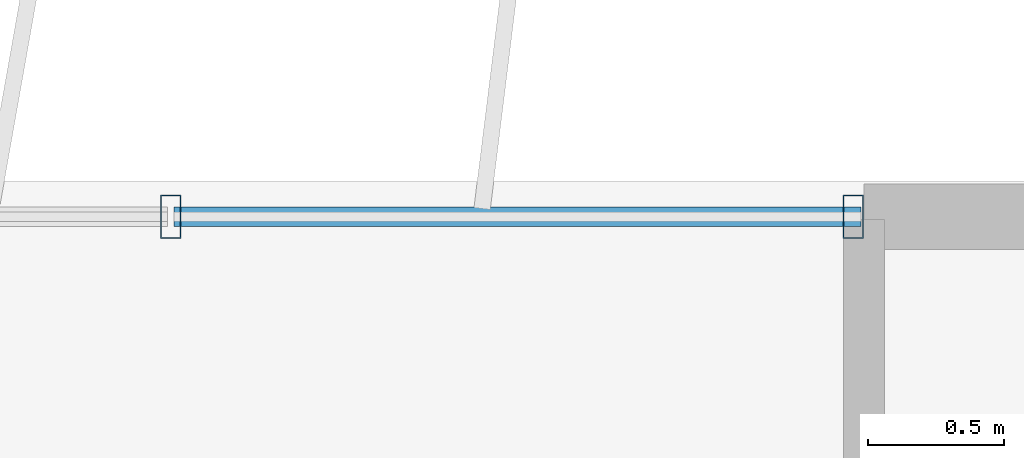
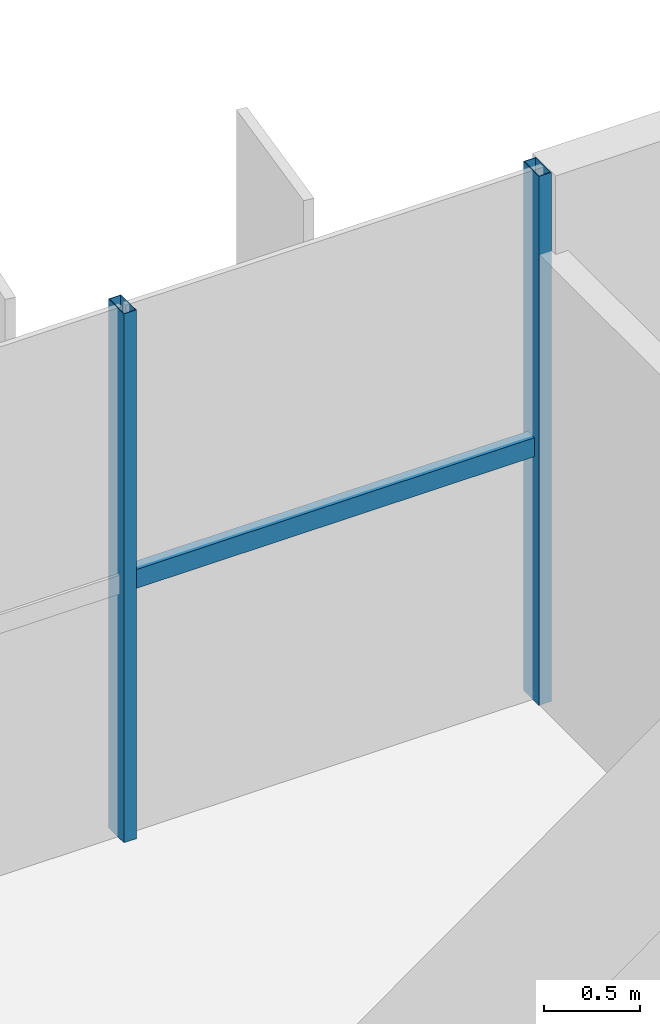
# One storey, part 14 of 22: 3 members, 1 element without a shape of its own.
"""IFC4 building model written with IfcOpenShell, lengths in metres."""

from ifc_helpers import new_model, si_unit, direction, frame, origin, origin_2d, place, context, subcontext, project, spatial, hollow_rectangle, extrude, source, transform, mapped, material, material_profile, profile_set, type_object, element, aggregate, save


model = new_model("IFC4")

# Units and contexts
model_context = context("Model", 3, precision=1e-05, world=origin(), true_north=direction((0.0, 1.0)))
body_context = subcontext(model_context, "Body", "Model", "MODEL_VIEW")
ifc_project = project(units=[si_unit("LENGTHUNIT", "METRE"), si_unit("AREAUNIT", "SQUARE_METRE"), si_unit("VOLUMEUNIT", "CUBIC_METRE"), si_unit("PLANEANGLEUNIT", "RADIAN"), si_unit("MASSUNIT", "GRAM", prefix="KILO")], contexts=[model_context])

# Site, building, storey
site_placement = place(None, origin())
site = spatial("IfcSite", under=ifc_project, at=site_placement, CompositionType="ELEMENT")
building_placement = place(site_placement, origin())
building = spatial("IfcBuilding", under=site, at=building_placement, Name="Trelvane Seafront Commons", CompositionType="ELEMENT")
storey_placement = place(building_placement, frame((0.0, 0.0, 284.699951171875)))
storey = spatial("IfcBuildingStorey", under=building, at=storey_placement, Name="L74", CompositionType="ELEMENT", Elevation=284.699951171875)

# Curtain wall, members
ifc_material = material(Name="Anodised pale-silver aluminium", Category="aluminium")
curtain_wall_type = type_object("IfcCurtainWallType", Name="ARCH-CW5-UPTOWER", PredefinedType="NOTDEFINED", material=ifc_material)
curtain_wall_placement = place(storey_placement, origin())
curtain_wall = element("IfcCurtainWall", 1, at=curtain_wall_placement, inside=storey, type_object=curtain_wall_type, Name="CW-L74-0118", PredefinedType="NOTDEFINED")
ifc_material_profile_1 = material_profile(ifc_material, hollow_rectangle(XDim=0.070068359375, YDim=0.1201171875, WallThickness=0.00390625, at=origin_2d()), Name="TRAN-70x120x4")
ifc_profile_set_1 = profile_set([ifc_material_profile_1], Name="Anodised pale-silver aluminium")
member_type_1 = type_object("IfcMemberType", Name="ARCH-CW-TRAN-120", PredefinedType="USERDEFINED", material=ifc_profile_set_1)
shared_shape_1 = source(origin(), body_context, "Body", "SweptSolid", [
    extrude(hollow_rectangle(XDim=0.070068359375, YDim=0.1201171875, WallThickness=0.00390625, at=origin_2d()), origin(), (0.0, 0.0, 1.0), 2.517333984375),
])
member_1_placement = place(storey_placement, frame((56.270751953125, 48.3701171875, 1.6181640625), z_axis=(1.0, 0.0, 0.0), x_axis=(0.0, 1.0, 0.0)))
member_1 = element("IfcMember", 2, at=member_1_placement, type_object=member_type_1, Name="CW-L74-0118-T16", ObjectType="TRANSOM", PredefinedType="USERDEFINED", context=body_context, shape_type="MappedRepresentation", body=[
    mapped(shared_shape_1, transform((0.0, 0.0, 0.0), x_axis=(1.0, 0.0, 0.0), y_axis=(0.0, 1.0, 0.0), z_axis=(0.0, 0.0, 1.0), scale=1.0)),
])
ifc_material_profile_2 = material_profile(ifc_material, hollow_rectangle(XDim=0.074951171875, YDim=0.159912109375, WallThickness=0.00390625, at=origin_2d()), Name="MULL-75x160x4")
ifc_profile_set_2 = profile_set([ifc_material_profile_2], Name="Anodised pale-silver aluminium")
member_type_2 = type_object("IfcMemberType", Name="ARCH-CW-MULL-160", PredefinedType="MULLION", material=ifc_profile_set_2)
shared_shape_2 = source(origin(), body_context, "Body", "SweptSolid", [
    extrude(hollow_rectangle(XDim=0.074951171875, YDim=0.159912109375, WallThickness=0.00390625, at=origin_2d()), origin(), (0.0, 0.0, 1.0), 3.3701171875),
])
member_2_placement = place(storey_placement, frame((56.2587890625, 48.3701171875, 0.0), z_axis=(0.0, 0.0, 1.0), x_axis=(1.0, 0.0, 0.0)))
member_2 = element("IfcMember", 3, at=member_2_placement, type_object=member_type_2, Name="CW-L74-0118-M16", PredefinedType="MULLION", context=body_context, shape_type="MappedRepresentation", body=[
    mapped(shared_shape_2, transform((0.0, 0.0, 0.0), x_axis=(1.0, 0.0, 0.0), y_axis=(0.0, 1.0, 0.0), z_axis=(0.0, 0.0, 1.0), scale=1.0)),
])
member_3_placement = place(storey_placement, frame((58.760009765625, 48.3701171875, 0.0), z_axis=(0.0, 0.0, 1.0), x_axis=(1.0, 0.0, 0.0)))
member_3 = element("IfcMember", 4, at=member_3_placement, type_object=member_type_2, Name="CW-L74-0118-M17", PredefinedType="MULLION", context=body_context, shape_type="MappedRepresentation", body=[
    mapped(shared_shape_2, transform((0.0, 0.0, 0.0), x_axis=(1.0, 0.0, 0.0), y_axis=(0.0, 1.0, 0.0), z_axis=(0.0, 0.0, 1.0), scale=1.0)),
])
aggregate(curtain_wall, [member_2, member_3, member_1])

save(model, "model.ifc")
